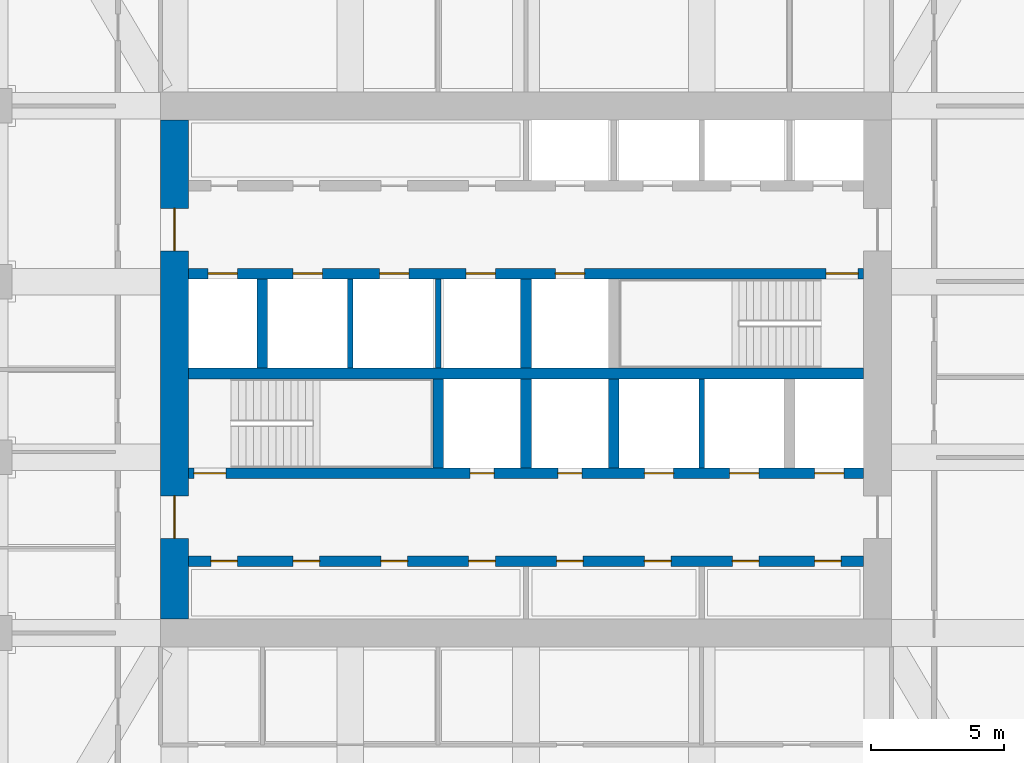
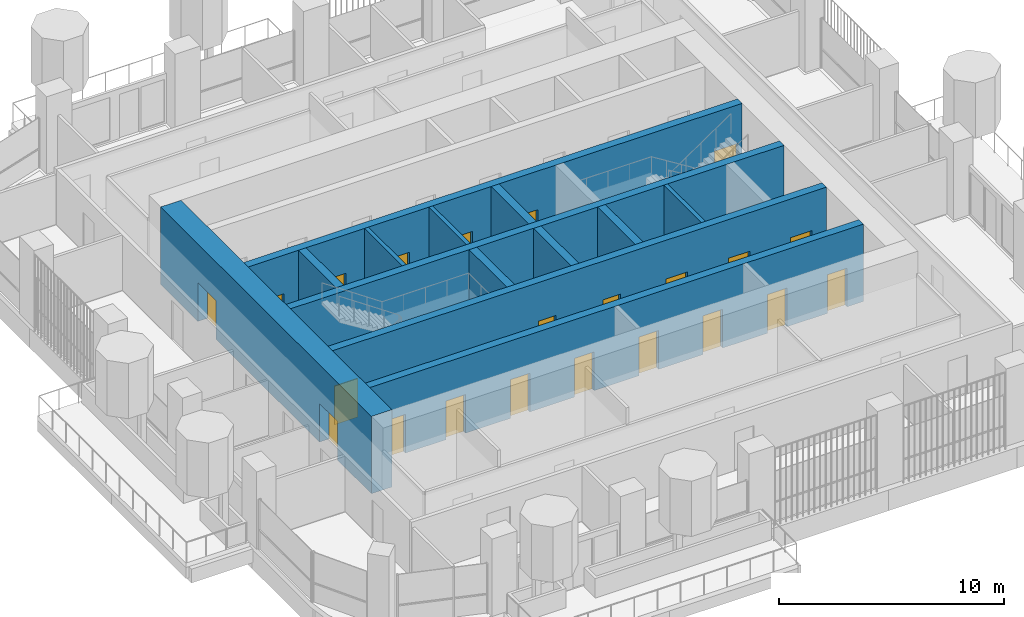
# One storey, part 13 of 20: 22 doors, 13 walls, 22 openings.
"""IFC4 building model written with IfcOpenShell, lengths in metres."""

from ifc_helpers import new_model, si_unit, direction, frame, frame_2d, origin, place, context, subcontext, project, spatial, rectangle, extrude, material, layer, layer_set, type_object, element, fill, save


model = new_model("IFC4")

# Units and contexts
model_context = context("Model", 3, precision=1e-05, world=origin(), true_north=direction((0.0, 1.0)))
body_context = subcontext(model_context, "Body", "Model", "MODEL_VIEW")
ifc_project = project(units=[si_unit("LENGTHUNIT", "METRE"), si_unit("AREAUNIT", "SQUARE_METRE"), si_unit("VOLUMEUNIT", "CUBIC_METRE"), si_unit("PLANEANGLEUNIT", "RADIAN"), si_unit("MASSUNIT", "GRAM", prefix="KILO")], contexts=[model_context])

# Site, building, storey
site_placement = place(None, origin())
site = spatial("IfcSite", under=ifc_project, at=site_placement, CompositionType="ELEMENT")
building_placement = place(site_placement, origin())
building = spatial("IfcBuilding", under=site, at=building_placement, Name="Cobogo Forest Laboratory Tower", CompositionType="ELEMENT")
storey_placement = place(building_placement, frame((0.0, 0.0, 246.0)))
storey = spatial("IfcBuildingStorey", under=building, at=storey_placement, Name="L56", CompositionType="ELEMENT", Elevation=246.0)

# Wall, openings, doors
ifc_material_1 = material(Name="Concrete HA-50 (C50/60)", Category="concrete")
ifc_layer_1 = layer(ifc_material_1, 0.39990234375)
ifc_layer_set_1 = layer_set([ifc_layer_1], Name="CI400 core inner wall 400")
wall_type_1 = type_object("IfcWallType", Name="CI400 core inner wall 400", PredefinedType="SHEAR", material=ifc_layer_set_1)
wall_1_placement = place(storey_placement, frame((13.72509765625, 15.89990234375, 0.0), z_axis=(0.0, 0.0, 1.0), x_axis=(1.0, 0.0, 0.0)))
wall_1 = element("IfcWall", 1, at=wall_1_placement, inside=storey, type_object=wall_type_1, Name="Core wall CI-15.9 L56", PredefinedType="SHEAR", context=body_context, shape_type="SweptSolid", body=[
    extrude(rectangle(XDim=25.349853515625, YDim=0.39990234375, at=frame_2d((12.6748046875, 0.0))), origin(), (0.0, 0.0, 1.0), 4.199951171875),
])
opening_1_placement = place(wall_1_placement, frame((0.83740234375, 0.0, 0.0)))
opening_1 = element("IfcOpeningElement", 2, at=opening_1_placement, cuts=wall_1, Name="Opening L56-D12", PredefinedType="OPENING", context=body_context, shape_type="SweptSolid", body=[
    extrude(rectangle(XDim=1.0, YDim=2.10009765625, at=frame_2d((0.5, 1.050048828125))), frame((0.0, 0.2099609375, 0.0), z_axis=(0.0, -1.0, 0.0), x_axis=(1.0, 0.0, 0.0)), (0.0, 0.0, 1.0), 0.419921875),
])
opening_2_placement = place(wall_1_placement, frame((3.925048828125, 0.0, 0.0)))
opening_2 = element("IfcOpeningElement", 3, at=opening_2_placement, cuts=wall_1, Name="Opening L56-D13", PredefinedType="OPENING", context=body_context, shape_type="SweptSolid", body=[
    extrude(rectangle(XDim=1.0, YDim=2.10009765625, at=frame_2d((0.5, 1.050048828125))), frame((0.0, 0.2099609375, 0.0), z_axis=(0.0, -1.0, 0.0), x_axis=(1.0, 0.0, 0.0)), (0.0, 0.0, 1.0), 0.419921875),
])
opening_3_placement = place(wall_1_placement, frame((7.22509765625, 0.0, 0.0)))
opening_3 = element("IfcOpeningElement", 4, at=opening_3_placement, cuts=wall_1, Name="Opening L56-D14", PredefinedType="OPENING", context=body_context, shape_type="SweptSolid", body=[
    extrude(rectangle(XDim=1.0, YDim=2.10009765625, at=frame_2d((0.5, 1.050048828125))), frame((0.0, 0.2099609375, 0.0), z_axis=(0.0, -1.0, 0.0), x_axis=(1.0, 0.0, 0.0)), (0.0, 0.0, 1.0), 0.419921875),
])
opening_4_placement = place(wall_1_placement, frame((10.52490234375, 0.0, 0.0)))
opening_4 = element("IfcOpeningElement", 5, at=opening_4_placement, cuts=wall_1, Name="Opening L56-D15", PredefinedType="OPENING", context=body_context, shape_type="SweptSolid", body=[
    extrude(rectangle(XDim=1.0, YDim=2.10009765625, at=frame_2d((0.5, 1.050048828125))), frame((0.0, 0.2099609375, 0.0), z_axis=(0.0, -1.0, 0.0), x_axis=(1.0, 0.0, 0.0)), (0.0, 0.0, 1.0), 0.419921875),
])
opening_5_placement = place(wall_1_placement, frame((13.824951171875, 0.0, 0.0)))
opening_5 = element("IfcOpeningElement", 6, at=opening_5_placement, cuts=wall_1, Name="Opening L56-D16", PredefinedType="OPENING", context=body_context, shape_type="SweptSolid", body=[
    extrude(rectangle(XDim=1.0, YDim=2.10009765625, at=frame_2d((0.5, 1.050048828125))), frame((0.0, 0.2099609375, 0.0), z_axis=(0.0, -1.0, 0.0), x_axis=(1.0, 0.0, 0.0)), (0.0, 0.0, 1.0), 0.419921875),
])
opening_6_placement = place(wall_1_placement, frame((17.125, 0.0, 0.0)))
opening_6 = element("IfcOpeningElement", 7, at=opening_6_placement, cuts=wall_1, Name="Opening L56-D17", PredefinedType="OPENING", context=body_context, shape_type="SweptSolid", body=[
    extrude(rectangle(XDim=1.0, YDim=2.10009765625, at=frame_2d((0.5, 1.050048828125))), frame((0.0, 0.2099609375, 0.0), z_axis=(0.0, -1.0, 0.0), x_axis=(1.0, 0.0, 0.0)), (0.0, 0.0, 1.0), 0.419921875),
])
opening_7_placement = place(wall_1_placement, frame((20.425048828125, 0.0, 0.0)))
opening_7 = element("IfcOpeningElement", 8, at=opening_7_placement, cuts=wall_1, Name="Opening L56-D18", PredefinedType="OPENING", context=body_context, shape_type="SweptSolid", body=[
    extrude(rectangle(XDim=1.0, YDim=2.10009765625, at=frame_2d((0.5, 1.050048828125))), frame((0.0, 0.2099609375, 0.0), z_axis=(0.0, -1.0, 0.0), x_axis=(1.0, 0.0, 0.0)), (0.0, 0.0, 1.0), 0.419921875),
])
opening_8_placement = place(wall_1_placement, frame((23.512451171875, 0.0, 0.0)))
opening_8 = element("IfcOpeningElement", 9, at=opening_8_placement, cuts=wall_1, Name="Opening L56-D19", PredefinedType="OPENING", context=body_context, shape_type="SweptSolid", body=[
    extrude(rectangle(XDim=1.0, YDim=2.10009765625, at=frame_2d((0.5, 1.050048828125))), frame((0.0, 0.2099609375, 0.0), z_axis=(0.0, -1.0, 0.0), x_axis=(1.0, 0.0, 0.0)), (0.0, 0.0, 1.0), 0.419921875),
])
ifc_material_2 = material(Name="Steel fire door", Category="steel")
door_type_1 = type_object("IfcDoorType", Name="FD1 fire door 1000 EI2 60", OperationType="SINGLE_SWING_LEFT", PredefinedType="DOOR", material=ifc_material_2)
door_1_placement = place(opening_1_placement, origin())
door_1 = element("IfcDoor", 10, at=door_1_placement, inside=storey, type_object=door_type_1, Name="Door L56-SH-LA1", OperationType="SINGLE_SWING_LEFT", OverallHeight=2.10009765625, OverallWidth=1.0, PredefinedType="DOOR", context=body_context, shape_type="SweptSolid", body=[
    extrude(rectangle(XDim=1.0, YDim=2.10009765625, at=frame_2d((0.5, 1.050048828125))), frame((0.0, 0.02490234375, 0.0), z_axis=(0.0, -1.0, 0.0), x_axis=(1.0, 0.0, 0.0)), (0.0, 0.0, 1.0), 0.050048828125),
])
fill(opening_1, door_1)
door_2_placement = place(opening_2_placement, origin())
door_2 = element("IfcDoor", 11, at=door_2_placement, inside=storey, type_object=door_type_1, Name="Door L56-SH-LA2", OperationType="SINGLE_SWING_LEFT", OverallHeight=2.10009765625, OverallWidth=1.0, PredefinedType="DOOR", context=body_context, shape_type="SweptSolid", body=[
    extrude(rectangle(XDim=1.0, YDim=2.10009765625, at=frame_2d((0.5, 1.050048828125))), frame((0.0, 0.02490234375, 0.0), z_axis=(0.0, -1.0, 0.0), x_axis=(1.0, 0.0, 0.0)), (0.0, 0.0, 1.0), 0.050048828125),
])
fill(opening_2, door_2)
door_3_placement = place(opening_3_placement, origin())
door_3 = element("IfcDoor", 12, at=door_3_placement, inside=storey, type_object=door_type_1, Name="Door L56-SH-LA3", OperationType="SINGLE_SWING_LEFT", OverallHeight=2.10009765625, OverallWidth=1.0, PredefinedType="DOOR", context=body_context, shape_type="SweptSolid", body=[
    extrude(rectangle(XDim=1.0, YDim=2.10009765625, at=frame_2d((0.5, 1.050048828125))), frame((0.0, 0.02490234375, 0.0), z_axis=(0.0, -1.0, 0.0), x_axis=(1.0, 0.0, 0.0)), (0.0, 0.0, 1.0), 0.050048828125),
])
fill(opening_3, door_3)
door_4_placement = place(opening_4_placement, origin())
door_4 = element("IfcDoor", 13, at=door_4_placement, inside=storey, type_object=door_type_1, Name="Door L56-SH-LA4", OperationType="SINGLE_SWING_LEFT", OverallHeight=2.10009765625, OverallWidth=1.0, PredefinedType="DOOR", context=body_context, shape_type="SweptSolid", body=[
    extrude(rectangle(XDim=1.0, YDim=2.10009765625, at=frame_2d((0.5, 1.050048828125))), frame((0.0, 0.02490234375, 0.0), z_axis=(0.0, -1.0, 0.0), x_axis=(1.0, 0.0, 0.0)), (0.0, 0.0, 1.0), 0.050048828125),
])
fill(opening_4, door_4)
door_5_placement = place(opening_5_placement, origin())
door_5 = element("IfcDoor", 14, at=door_5_placement, inside=storey, type_object=door_type_1, Name="Door L56-SH-LB1", OperationType="SINGLE_SWING_RIGHT", OverallHeight=2.10009765625, OverallWidth=1.0, PredefinedType="DOOR", context=body_context, shape_type="SweptSolid", body=[
    extrude(rectangle(XDim=1.0, YDim=2.10009765625, at=frame_2d((0.5, 1.050048828125))), frame((0.0, 0.02490234375, 0.0), z_axis=(0.0, -1.0, 0.0), x_axis=(1.0, 0.0, 0.0)), (0.0, 0.0, 1.0), 0.050048828125),
])
fill(opening_5, door_5)
door_6_placement = place(opening_6_placement, origin())
door_6 = element("IfcDoor", 15, at=door_6_placement, inside=storey, type_object=door_type_1, Name="Door L56-SH-LB2", OperationType="SINGLE_SWING_RIGHT", OverallHeight=2.10009765625, OverallWidth=1.0, PredefinedType="DOOR", context=body_context, shape_type="SweptSolid", body=[
    extrude(rectangle(XDim=1.0, YDim=2.10009765625, at=frame_2d((0.5, 1.050048828125))), frame((0.0, 0.02490234375, 0.0), z_axis=(0.0, -1.0, 0.0), x_axis=(1.0, 0.0, 0.0)), (0.0, 0.0, 1.0), 0.050048828125),
])
fill(opening_6, door_6)
door_7_placement = place(opening_7_placement, origin())
door_7 = element("IfcDoor", 16, at=door_7_placement, inside=storey, type_object=door_type_1, Name="Door L56-SH-LB3", OperationType="SINGLE_SWING_RIGHT", OverallHeight=2.10009765625, OverallWidth=1.0, PredefinedType="DOOR", context=body_context, shape_type="SweptSolid", body=[
    extrude(rectangle(XDim=1.0, YDim=2.10009765625, at=frame_2d((0.5, 1.050048828125))), frame((0.0, 0.02490234375, 0.0), z_axis=(0.0, -1.0, 0.0), x_axis=(1.0, 0.0, 0.0)), (0.0, 0.0, 1.0), 0.050048828125),
])
fill(opening_7, door_7)
door_8_placement = place(opening_8_placement, origin())
door_8 = element("IfcDoor", 17, at=door_8_placement, inside=storey, type_object=door_type_1, Name="Door L56-SH-LB4", OperationType="SINGLE_SWING_RIGHT", OverallHeight=2.10009765625, OverallWidth=1.0, PredefinedType="DOOR", context=body_context, shape_type="SweptSolid", body=[
    extrude(rectangle(XDim=1.0, YDim=2.10009765625, at=frame_2d((0.5, 1.050048828125))), frame((0.0, 0.02490234375, 0.0), z_axis=(0.0, -1.0, 0.0), x_axis=(1.0, 0.0, 0.0)), (0.0, 0.0, 1.0), 0.050048828125),
])
fill(opening_8, door_8)

wall_2_placement = place(storey_placement, frame((13.72509765625, 19.199951171875, 0.0), z_axis=(0.0, 0.0, 1.0), x_axis=(1.0, 0.0, 0.0)))
wall_2 = element("IfcWall", 18, at=wall_2_placement, inside=storey, type_object=wall_type_1, Name="Core wall CI-19.2 L56", PredefinedType="SHEAR", context=body_context, shape_type="SweptSolid", body=[
    extrude(rectangle(XDim=25.349853515625, YDim=0.39990234375, at=frame_2d((12.6748046875, 0.0))), origin(), (0.0, 0.0, 1.0), 4.199951171875),
])
opening_9_placement = place(wall_2_placement, frame((10.574951171875, 0.0, 0.0)))
opening_9 = element("IfcOpeningElement", 19, at=opening_9_placement, cuts=wall_2, Name="Opening L56-D26", PredefinedType="OPENING", context=body_context, shape_type="SweptSolid", body=[
    extrude(rectangle(XDim=0.89990234375, YDim=2.10009765625, at=frame_2d((0.449951171875, 1.050048828125))), frame((0.0, 0.2099609375, 0.0), z_axis=(0.0, -1.0, 0.0), x_axis=(1.0, 0.0, 0.0)), (0.0, 0.0, 1.0), 0.419921875),
])
opening_10_placement = place(wall_2_placement, frame((13.875, 0.0, 0.0)))
opening_10 = element("IfcOpeningElement", 20, at=opening_10_placement, cuts=wall_2, Name="Opening L56-D27", PredefinedType="OPENING", context=body_context, shape_type="SweptSolid", body=[
    extrude(rectangle(XDim=0.89990234375, YDim=2.10009765625, at=frame_2d((0.449951171875, 1.050048828125))), frame((0.0, 0.2099609375, 0.0), z_axis=(0.0, -1.0, 0.0), x_axis=(1.0, 0.0, 0.0)), (0.0, 0.0, 1.0), 0.419921875),
])
opening_11_placement = place(wall_2_placement, frame((0.199951171875, 0.0, 0.0)))
opening_11 = element("IfcOpeningElement", 21, at=opening_11_placement, cuts=wall_2, Name="Opening L56-D25", PredefinedType="OPENING", context=body_context, shape_type="SweptSolid", body=[
    extrude(rectangle(XDim=1.199951171875, YDim=2.10009765625, at=frame_2d((0.60009765625, 1.050048828125))), frame((0.0, 0.2099609375, 0.0), z_axis=(0.0, -1.0, 0.0), x_axis=(1.0, 0.0, 0.0)), (0.0, 0.0, 1.0), 0.419921875),
])
opening_12_placement = place(wall_2_placement, frame((23.512451171875, 0.0, 0.0)))
opening_12 = element("IfcOpeningElement", 22, at=opening_12_placement, cuts=wall_2, Name="Opening L56-LD-FL2", PredefinedType="OPENING", context=body_context, shape_type="SweptSolid", body=[
    extrude(rectangle(XDim=1.10009765625, YDim=2.10009765625, at=frame_2d((0.550048828125, 1.050048828125))), frame((0.0, 0.2099609375, 0.0), z_axis=(0.0, -1.0, 0.0), x_axis=(1.0, 0.0, 0.0)), (0.0, 0.0, 1.0), 0.419921875),
])
opening_13_placement = place(wall_2_placement, frame((17.125, 0.0, 0.0)))
opening_13 = element("IfcOpeningElement", 23, at=opening_13_placement, cuts=wall_2, Name="Opening L56-LD-LS1", PredefinedType="OPENING", context=body_context, shape_type="SweptSolid", body=[
    extrude(rectangle(XDim=1.10009765625, YDim=2.10009765625, at=frame_2d((0.550048828125, 1.050048828125))), frame((0.0, 0.2099609375, 0.0), z_axis=(0.0, -1.0, 0.0), x_axis=(1.0, 0.0, 0.0)), (0.0, 0.0, 1.0), 0.419921875),
])
opening_14_placement = place(wall_2_placement, frame((20.324951171875, 0.0, 0.0)))
opening_14 = element("IfcOpeningElement", 24, at=opening_14_placement, cuts=wall_2, Name="Opening L56-LD-LS2", PredefinedType="OPENING", context=body_context, shape_type="SweptSolid", body=[
    extrude(rectangle(XDim=1.10009765625, YDim=2.10009765625, at=frame_2d((0.550048828125, 1.050048828125))), frame((0.0, 0.2099609375, 0.0), z_axis=(0.0, -1.0, 0.0), x_axis=(1.0, 0.0, 0.0)), (0.0, 0.0, 1.0), 0.419921875),
])
door_type_2 = type_object("IfcDoorType", Name="DS1 protected stair door 1200 EI2 60", OperationType="SINGLE_SWING_LEFT", PredefinedType="DOOR", material=ifc_material_2)
door_9_placement = place(opening_11_placement, origin())
door_9 = element("IfcDoor", 25, at=door_9_placement, inside=storey, type_object=door_type_2, Name="Door L56-ST1", OperationType="SINGLE_SWING_LEFT", OverallHeight=2.10009765625, OverallWidth=1.199951171875, PredefinedType="DOOR", context=body_context, shape_type="SweptSolid", body=[
    extrude(rectangle(XDim=1.199951171875, YDim=2.10009765625, at=frame_2d((0.60009765625, 1.050048828125))), frame((0.0, 0.02490234375, 0.0), z_axis=(0.0, -1.0, 0.0), x_axis=(1.0, 0.0, 0.0)), (0.0, 0.0, 1.0), 0.050048828125),
])
fill(opening_11, door_9)
door_type_3 = type_object("IfcDoorType", Name="FD4 riser access door 900 EI2 60", OperationType="SINGLE_SWING_LEFT", PredefinedType="DOOR", material=ifc_material_2)
door_10_placement = place(opening_9_placement, origin())
door_10 = element("IfcDoor", 26, at=door_10_placement, inside=storey, type_object=door_type_3, Name="Door L56-R1", OperationType="SINGLE_SWING_LEFT", OverallHeight=2.10009765625, OverallWidth=0.89990234375, PredefinedType="DOOR", context=body_context, shape_type="SweptSolid", body=[
    extrude(rectangle(XDim=0.89990234375, YDim=2.10009765625, at=frame_2d((0.449951171875, 1.050048828125))), frame((0.0, 0.02490234375, 0.0), z_axis=(0.0, -1.0, 0.0), x_axis=(1.0, 0.0, 0.0)), (0.0, 0.0, 1.0), 0.050048828125),
])
fill(opening_9, door_10)
door_11_placement = place(opening_10_placement, origin())
door_11 = element("IfcDoor", 27, at=door_11_placement, inside=storey, type_object=door_type_3, Name="Door L56-R2", OperationType="SINGLE_SWING_RIGHT", OverallHeight=2.10009765625, OverallWidth=0.89990234375, PredefinedType="DOOR", context=body_context, shape_type="SweptSolid", body=[
    extrude(rectangle(XDim=0.89990234375, YDim=2.10009765625, at=frame_2d((0.449951171875, 1.050048828125))), frame((0.0, 0.02490234375, 0.0), z_axis=(0.0, -1.0, 0.0), x_axis=(1.0, 0.0, 0.0)), (0.0, 0.0, 1.0), 0.050048828125),
])
fill(opening_10, door_11)
ifc_material_3 = material(Name="Stainless steel lift door", Category="steel")
door_type_4 = type_object("IfcDoorType", Name="LD lift landing door 1100", OperationType="DOUBLE_DOOR_SLIDING", PredefinedType="DOOR", material=ifc_material_3)
door_12_placement = place(opening_12_placement, origin())
door_12 = element("IfcDoor", 28, at=door_12_placement, inside=storey, type_object=door_type_4, Name="Lift landing door FL2 L56", OperationType="DOUBLE_DOOR_SLIDING", OverallHeight=2.10009765625, OverallWidth=1.10009765625, PredefinedType="DOOR", context=body_context, shape_type="SweptSolid", body=[
    extrude(rectangle(XDim=1.10009765625, YDim=2.10009765625, at=frame_2d((0.550048828125, 1.050048828125))), frame((0.0, 0.02490234375, 0.0), z_axis=(0.0, -1.0, 0.0), x_axis=(1.0, 0.0, 0.0)), (0.0, 0.0, 1.0), 0.050048828125),
])
fill(opening_12, door_12)
door_13_placement = place(opening_13_placement, origin())
door_13 = element("IfcDoor", 29, at=door_13_placement, inside=storey, type_object=door_type_4, Name="Lift landing door LS1 L56", OperationType="DOUBLE_DOOR_SLIDING", OverallHeight=2.10009765625, OverallWidth=1.10009765625, PredefinedType="DOOR", context=body_context, shape_type="SweptSolid", body=[
    extrude(rectangle(XDim=1.10009765625, YDim=2.10009765625, at=frame_2d((0.550048828125, 1.050048828125))), frame((0.0, 0.02490234375, 0.0), z_axis=(0.0, -1.0, 0.0), x_axis=(1.0, 0.0, 0.0)), (0.0, 0.0, 1.0), 0.050048828125),
])
fill(opening_13, door_13)
door_14_placement = place(opening_14_placement, origin())
door_14 = element("IfcDoor", 30, at=door_14_placement, inside=storey, type_object=door_type_4, Name="Lift landing door LS2 L56", OperationType="DOUBLE_DOOR_SLIDING", OverallHeight=2.10009765625, OverallWidth=1.10009765625, PredefinedType="DOOR", context=body_context, shape_type="SweptSolid", body=[
    extrude(rectangle(XDim=1.10009765625, YDim=2.10009765625, at=frame_2d((0.550048828125, 1.050048828125))), frame((0.0, 0.02490234375, 0.0), z_axis=(0.0, -1.0, 0.0), x_axis=(1.0, 0.0, 0.0)), (0.0, 0.0, 1.0), 0.050048828125),
])
fill(opening_14, door_14)

# Wall
wall_3_placement = place(storey_placement, frame((13.72509765625, 22.949951171875, 0.0), z_axis=(0.0, 0.0, 1.0), x_axis=(1.0, 0.0, 0.0)))
element("IfcWall", 31, at=wall_3_placement, inside=storey, type_object=wall_type_1, Name="Core wall CI-22.95 L56", PredefinedType="SHEAR", context=body_context, shape_type="SweptSolid", body=[
    extrude(rectangle(XDim=25.349853515625, YDim=0.39990234375, at=frame_2d((12.6748046875, 0.0))), origin(), (0.0, 0.0, 1.0), 4.199951171875),
])

# Wall, openings, doors
wall_4_placement = place(storey_placement, frame((13.72509765625, 26.699951171875, 0.0), z_axis=(0.0, 0.0, 1.0), x_axis=(1.0, 0.0, 0.0)))
wall_4 = element("IfcWall", 32, at=wall_4_placement, inside=storey, type_object=wall_type_1, Name="Core wall CI-26.7 L56", PredefinedType="SHEAR", context=body_context, shape_type="SweptSolid", body=[
    extrude(rectangle(XDim=25.349853515625, YDim=0.39990234375, at=frame_2d((12.6748046875, 0.0))), origin(), (0.0, 0.0, 1.0), 4.199951171875),
])
opening_15_placement = place(wall_4_placement, frame((23.949951171875, 0.0, 0.0)))
opening_15 = element("IfcOpeningElement", 33, at=opening_15_placement, cuts=wall_4, Name="Opening L56-D31", PredefinedType="OPENING", context=body_context, shape_type="SweptSolid", body=[
    extrude(rectangle(XDim=1.199951171875, YDim=2.10009765625, at=frame_2d((0.60009765625, 1.050048828125))), frame((0.0, 0.2099609375, 0.0), z_axis=(0.0, -1.0, 0.0), x_axis=(1.0, 0.0, 0.0)), (0.0, 0.0, 1.0), 0.419921875),
])
opening_16_placement = place(wall_4_placement, frame((0.737548828125, 0.0, 0.0)))
opening_16 = element("IfcOpeningElement", 34, at=opening_16_placement, cuts=wall_4, Name="Opening L56-LD-FL1", PredefinedType="OPENING", context=body_context, shape_type="SweptSolid", body=[
    extrude(rectangle(XDim=1.10009765625, YDim=2.10009765625, at=frame_2d((0.550048828125, 1.050048828125))), frame((0.0, 0.2099609375, 0.0), z_axis=(0.0, -1.0, 0.0), x_axis=(1.0, 0.0, 0.0)), (0.0, 0.0, 1.0), 0.419921875),
])
opening_17_placement = place(wall_4_placement, frame((3.925048828125, 0.0, 0.0)))
opening_17 = element("IfcOpeningElement", 35, at=opening_17_placement, cuts=wall_4, Name="Opening L56-LD-LS3", PredefinedType="OPENING", context=body_context, shape_type="SweptSolid", body=[
    extrude(rectangle(XDim=1.10009765625, YDim=2.10009765625, at=frame_2d((0.550048828125, 1.050048828125))), frame((0.0, 0.2099609375, 0.0), z_axis=(0.0, -1.0, 0.0), x_axis=(1.0, 0.0, 0.0)), (0.0, 0.0, 1.0), 0.419921875),
])
opening_18_placement = place(wall_4_placement, frame((7.175048828125, 0.0, 0.0)))
opening_18 = element("IfcOpeningElement", 36, at=opening_18_placement, cuts=wall_4, Name="Opening L56-LD-LS4", PredefinedType="OPENING", context=body_context, shape_type="SweptSolid", body=[
    extrude(rectangle(XDim=1.10009765625, YDim=2.10009765625, at=frame_2d((0.550048828125, 1.050048828125))), frame((0.0, 0.2099609375, 0.0), z_axis=(0.0, -1.0, 0.0), x_axis=(1.0, 0.0, 0.0)), (0.0, 0.0, 1.0), 0.419921875),
])
opening_19_placement = place(wall_4_placement, frame((10.425048828125, 0.0, 0.0)))
opening_19 = element("IfcOpeningElement", 37, at=opening_19_placement, cuts=wall_4, Name="Opening L56-LD-LS5", PredefinedType="OPENING", context=body_context, shape_type="SweptSolid", body=[
    extrude(rectangle(XDim=1.10009765625, YDim=2.10009765625, at=frame_2d((0.550048828125, 1.050048828125))), frame((0.0, 0.2099609375, 0.0), z_axis=(0.0, -1.0, 0.0), x_axis=(1.0, 0.0, 0.0)), (0.0, 0.0, 1.0), 0.419921875),
])
opening_20_placement = place(wall_4_placement, frame((13.77490234375, 0.0, 0.0)))
opening_20 = element("IfcOpeningElement", 38, at=opening_20_placement, cuts=wall_4, Name="Opening L56-LD-LS6", PredefinedType="OPENING", context=body_context, shape_type="SweptSolid", body=[
    extrude(rectangle(XDim=1.10009765625, YDim=2.10009765625, at=frame_2d((0.550048828125, 1.050048828125))), frame((0.0, 0.2099609375, 0.0), z_axis=(0.0, -1.0, 0.0), x_axis=(1.0, 0.0, 0.0)), (0.0, 0.0, 1.0), 0.419921875),
])
door_15_placement = place(opening_15_placement, origin())
door_15 = element("IfcDoor", 39, at=door_15_placement, inside=storey, type_object=door_type_2, Name="Door L56-ST2", OperationType="SINGLE_SWING_RIGHT", OverallHeight=2.10009765625, OverallWidth=1.199951171875, PredefinedType="DOOR", context=body_context, shape_type="SweptSolid", body=[
    extrude(rectangle(XDim=1.199951171875, YDim=2.10009765625, at=frame_2d((0.60009765625, 1.050048828125))), frame((0.0, 0.02490234375, 0.0), z_axis=(0.0, -1.0, 0.0), x_axis=(1.0, 0.0, 0.0)), (0.0, 0.0, 1.0), 0.050048828125),
])
fill(opening_15, door_15)
door_16_placement = place(opening_16_placement, origin())
door_16 = element("IfcDoor", 40, at=door_16_placement, inside=storey, type_object=door_type_4, Name="Lift landing door FL1 L56", OperationType="DOUBLE_DOOR_SLIDING", OverallHeight=2.10009765625, OverallWidth=1.10009765625, PredefinedType="DOOR", context=body_context, shape_type="SweptSolid", body=[
    extrude(rectangle(XDim=1.10009765625, YDim=2.10009765625, at=frame_2d((0.550048828125, 1.050048828125))), frame((0.0, 0.02490234375, 0.0), z_axis=(0.0, -1.0, 0.0), x_axis=(1.0, 0.0, 0.0)), (0.0, 0.0, 1.0), 0.050048828125),
])
fill(opening_16, door_16)
door_17_placement = place(opening_17_placement, origin())
door_17 = element("IfcDoor", 41, at=door_17_placement, inside=storey, type_object=door_type_4, Name="Lift landing door LS3 L56", OperationType="DOUBLE_DOOR_SLIDING", OverallHeight=2.10009765625, OverallWidth=1.10009765625, PredefinedType="DOOR", context=body_context, shape_type="SweptSolid", body=[
    extrude(rectangle(XDim=1.10009765625, YDim=2.10009765625, at=frame_2d((0.550048828125, 1.050048828125))), frame((0.0, 0.02490234375, 0.0), z_axis=(0.0, -1.0, 0.0), x_axis=(1.0, 0.0, 0.0)), (0.0, 0.0, 1.0), 0.050048828125),
])
fill(opening_17, door_17)
door_18_placement = place(opening_18_placement, origin())
door_18 = element("IfcDoor", 42, at=door_18_placement, inside=storey, type_object=door_type_4, Name="Lift landing door LS4 L56", OperationType="DOUBLE_DOOR_SLIDING", OverallHeight=2.10009765625, OverallWidth=1.10009765625, PredefinedType="DOOR", context=body_context, shape_type="SweptSolid", body=[
    extrude(rectangle(XDim=1.10009765625, YDim=2.10009765625, at=frame_2d((0.550048828125, 1.050048828125))), frame((0.0, 0.02490234375, 0.0), z_axis=(0.0, -1.0, 0.0), x_axis=(1.0, 0.0, 0.0)), (0.0, 0.0, 1.0), 0.050048828125),
])
fill(opening_18, door_18)
door_19_placement = place(opening_19_placement, origin())
door_19 = element("IfcDoor", 43, at=door_19_placement, inside=storey, type_object=door_type_4, Name="Lift landing door LS5 L56", OperationType="DOUBLE_DOOR_SLIDING", OverallHeight=2.10009765625, OverallWidth=1.10009765625, PredefinedType="DOOR", context=body_context, shape_type="SweptSolid", body=[
    extrude(rectangle(XDim=1.10009765625, YDim=2.10009765625, at=frame_2d((0.550048828125, 1.050048828125))), frame((0.0, 0.02490234375, 0.0), z_axis=(0.0, -1.0, 0.0), x_axis=(1.0, 0.0, 0.0)), (0.0, 0.0, 1.0), 0.050048828125),
])
fill(opening_19, door_19)
door_20_placement = place(opening_20_placement, origin())
door_20 = element("IfcDoor", 44, at=door_20_placement, inside=storey, type_object=door_type_4, Name="Lift landing door LS6 L56", OperationType="DOUBLE_DOOR_SLIDING", OverallHeight=2.10009765625, OverallWidth=1.10009765625, PredefinedType="DOOR", context=body_context, shape_type="SweptSolid", body=[
    extrude(rectangle(XDim=1.10009765625, YDim=2.10009765625, at=frame_2d((0.550048828125, 1.050048828125))), frame((0.0, 0.02490234375, 0.0), z_axis=(0.0, -1.0, 0.0), x_axis=(1.0, 0.0, 0.0)), (0.0, 0.0, 1.0), 0.050048828125),
])
fill(opening_20, door_20)

# Walls
for number, where, z_axis, x_axis, name in (
    (45, (23.10009765625, 19.39990234375, 0.0), (0.0, 0.0, 1.0), (0.0, 1.0, 0.0), "Core wall CX-23.1 L56"),
    (46, (26.39990234375, 19.39990234375, 0.0), (0.0, 0.0, 1.0), (0.0, 1.0, 0.0), "Core wall CX-26.4S L56"),
    (47, (29.699951171875, 19.39990234375, 0.0), (0.0, 0.0, 1.0), (0.0, 1.0, 0.0), "Core wall CX-29.7S L56"),
    (48, (16.5, 23.14990234375, 0.0), (0.0, 0.0, 1.0), (0.0, 1.0, 0.0), "Core wall CX-16.5 L56"),
    (49, (26.39990234375, 23.14990234375, 0.0), (0.0, 0.0, 1.0), (0.0, 1.0, 0.0), "Core wall CX-26.4N L56"),
):
    element("IfcWall", number, at=place(storey_placement, frame(where, z_axis=z_axis, x_axis=x_axis)), inside=storey, type_object=wall_type_1, Name=name, PredefinedType="SHEAR", context=body_context, shape_type="SweptSolid", body=[
        extrude(rectangle(XDim=3.35009765625, YDim=0.39990234375, at=frame_2d((1.675048828125, 0.0))), origin(), (0.0, 0.0, 1.0), 4.199951171875),
    ])

# Wall, openings, doors
ifc_layer_2 = layer(ifc_material_1, 1.050048828125)
ifc_layer_set_2 = layer_set([ifc_layer_2], Name="CW1050 core outer wall 1050")
wall_type_2 = type_object("IfcWallType", Name="CW1050 core outer wall 1050", PredefinedType="SHEAR", material=ifc_layer_set_2)
wall_5_placement = place(storey_placement, frame((13.199951171875, 32.47509765625, 0.0), z_axis=(0.0, 0.0, 1.0), x_axis=(0.0, -1.0, 0.0)))
wall_5 = element("IfcWall", 50, at=wall_5_placement, inside=storey, type_object=wall_type_2, Name="Core wall CO-W L56", PredefinedType="SHEAR", context=body_context, shape_type="SweptSolid", body=[
    extrude(rectangle(XDim=18.75, YDim=1.050048828125, at=frame_2d((9.375, 0.0))), origin(), (0.0, 0.0, 1.0), 4.199951171875),
])
opening_21_placement = place(wall_5_placement, frame((14.125, 0.0, 0.0)))
opening_21 = element("IfcOpeningElement", 51, at=opening_21_placement, cuts=wall_5, Name="Opening L56-D22", PredefinedType="OPENING", context=body_context, shape_type="SweptSolid", body=[
    extrude(rectangle(XDim=1.60009765625, YDim=2.10009765625, at=frame_2d((0.800048828125, 1.050048828125))), frame((0.0, 0.534912109375, 0.0), z_axis=(0.0, -1.0, 0.0), x_axis=(1.0, 0.0, 0.0)), (0.0, 0.0, 1.0), 1.070068359375),
])
opening_22_placement = place(wall_5_placement, frame((3.324951171875, 0.0, 0.0)))
opening_22 = element("IfcOpeningElement", 52, at=opening_22_placement, cuts=wall_5, Name="Opening L56-D33", PredefinedType="OPENING", context=body_context, shape_type="SweptSolid", body=[
    extrude(rectangle(XDim=1.60009765625, YDim=2.10009765625, at=frame_2d((0.800048828125, 1.050048828125))), frame((0.0, 0.534912109375, 0.0), z_axis=(0.0, -1.0, 0.0), x_axis=(1.0, 0.0, 0.0)), (0.0, 0.0, 1.0), 1.070068359375),
])
door_type_5 = type_object("IfcDoorType", Name="DS2 protected lobby door pair 1600 EI2 60", OperationType="DOUBLE_DOOR_DOUBLE_SWING", PredefinedType="DOOR", material=ifc_material_2)
door_21_placement = place(opening_21_placement, origin())
door_21 = element("IfcDoor", 53, at=door_21_placement, inside=storey, type_object=door_type_5, Name="Door L56-CO-W-S", OperationType="DOUBLE_DOOR_DOUBLE_SWING", OverallHeight=2.10009765625, OverallWidth=1.60009765625, PredefinedType="DOOR", context=body_context, shape_type="SweptSolid", body=[
    extrude(rectangle(XDim=1.60009765625, YDim=2.10009765625, at=frame_2d((0.800048828125, 1.050048828125))), frame((0.0, 0.02490234375, 0.0), z_axis=(0.0, -1.0, 0.0), x_axis=(1.0, 0.0, 0.0)), (0.0, 0.0, 1.0), 0.050048828125),
])
fill(opening_21, door_21)
door_22_placement = place(opening_22_placement, origin())
door_22 = element("IfcDoor", 54, at=door_22_placement, inside=storey, type_object=door_type_5, Name="Door L56-CO-W-N", OperationType="DOUBLE_DOOR_DOUBLE_SWING", OverallHeight=2.10009765625, OverallWidth=1.60009765625, PredefinedType="DOOR", context=body_context, shape_type="SweptSolid", body=[
    extrude(rectangle(XDim=1.60009765625, YDim=2.10009765625, at=frame_2d((0.800048828125, 1.050048828125))), frame((0.0, 0.02490234375, 0.0), z_axis=(0.0, -1.0, 0.0), x_axis=(1.0, 0.0, 0.0)), (0.0, 0.0, 1.0), 0.050048828125),
])
fill(opening_22, door_22)

# Walls
ifc_material_4 = material(Name="Concrete block", Category="concrete")
ifc_layer_3 = layer(ifc_material_4, 0.199951171875)
ifc_layer_set_3 = layer_set([ifc_layer_3], Name="SW200 lift shaft separator 200")
wall_type_3 = type_object("IfcWallType", Name="SW200 lift shaft separator 200", PredefinedType="PARTITIONING", material=ifc_layer_set_3)
for number, where, z_axis, x_axis, name in (
    (55, (33.0, 19.39990234375, 0.0), (0.0, 0.0, 1.0), (0.0, 1.0, 0.0), "Core wall SEP-M33.0 L56"),
    (56, (19.800048828125, 23.14990234375, 0.0), (0.0, 0.0, 1.0), (0.0, 1.0, 0.0), "Core wall SEP-M19.8 L56"),
    (57, (23.10009765625, 23.14990234375, 0.0), (0.0, 0.0, 1.0), (0.0, 1.0, 0.0), "Core wall SEP-M23.1 L56"),
):
    element("IfcWall", number, at=place(storey_placement, frame(where, z_axis=z_axis, x_axis=x_axis)), inside=storey, type_object=wall_type_3, Name=name, PredefinedType="PARTITIONING", context=body_context, shape_type="SweptSolid", body=[
        extrude(rectangle(XDim=3.35009765625, YDim=0.199951171875, at=frame_2d((1.675048828125, 0.0))), origin(), (0.0, 0.0, 1.0), 4.199951171875),
    ])

save(model, "model.ifc")
